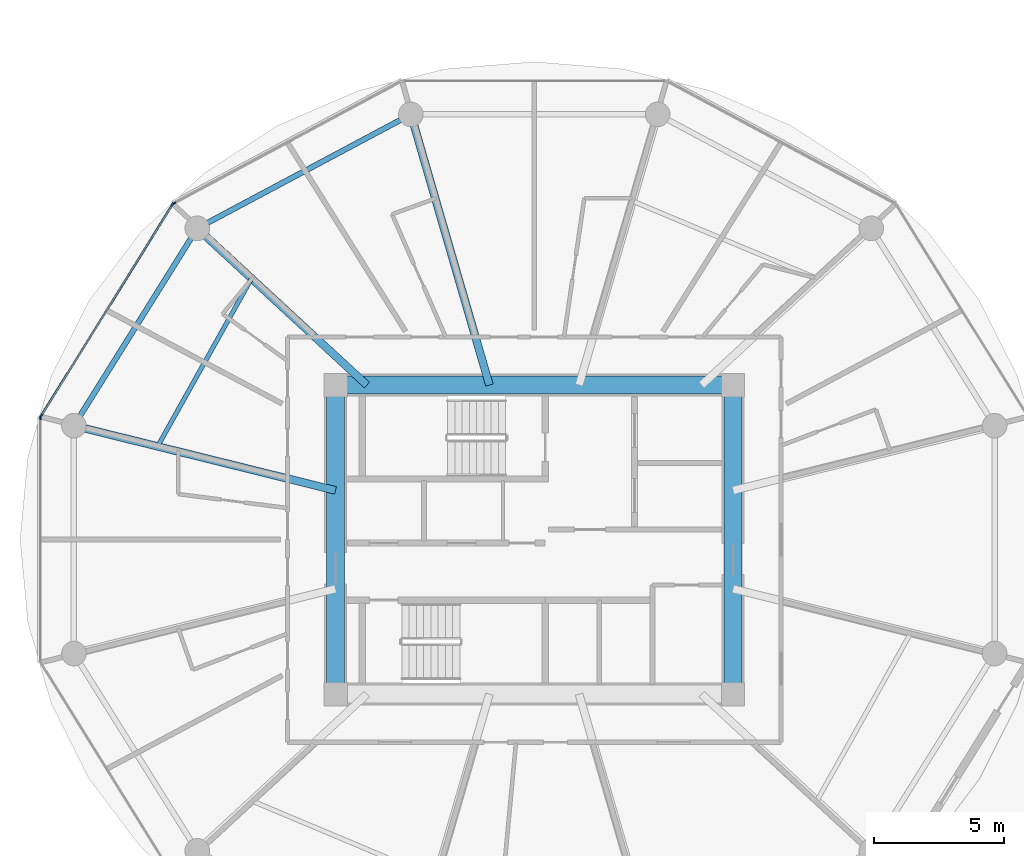
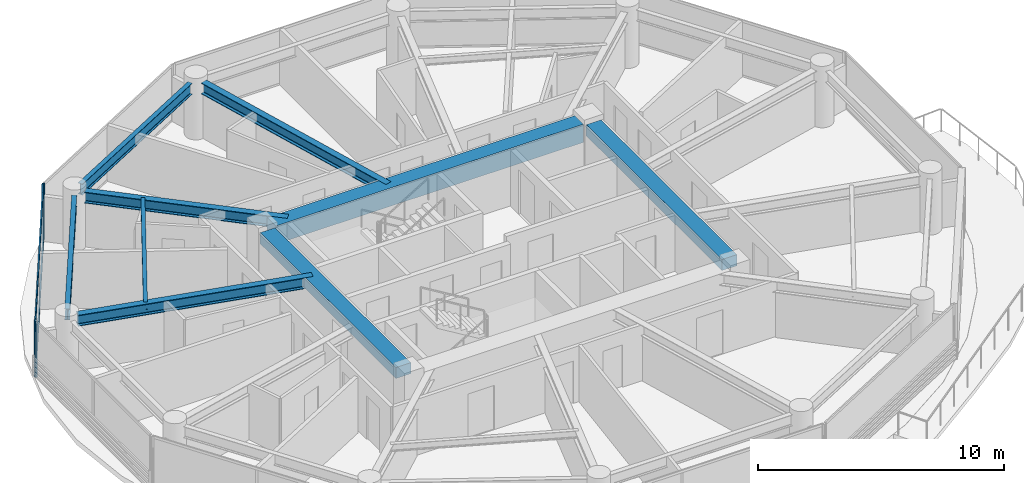
# One storey, part 4 of 26: 9 beams, 6 members, 3 elements without a shape of their own.
"""IFC4 building model written with IfcOpenShell, lengths in metres."""

import ifcopenshell
import ifcopenshell.guid

model = None  # the IFC model being written
_history = None  # IfcOwnerHistory: only IFC2X3 demands one
_inside = {}  # id of a spatial element -> (the spatial element, [elements in it])
_under = {}  # id of a project, library or spatial element -> (it, [spatial elements below it])
_declared = {}  # id of a project -> (the project, [libraries it declares])
_typed = {}  # id of a type object -> (the type object, [elements of that type])
_made_of = {}  # id of a material, layer set ... -> (it, [elements and type objects made of it])


def new_model(schema):
    """Start an empty IFC model of exactly this schema.

    Asked for "IFC4X3", IfcOpenShell would pick the latest addendum, in which some entities
    have other attributes; the version numbers below select the first issue.
    IFC2X3 requires an IfcOwnerHistory on every rooted entity: one is made here for all.
    """
    global model, _history
    if schema == "IFC4X3":
        model = ifcopenshell.file(schema_version=(4, 3, 0, 0))
    else:
        model = ifcopenshell.file(schema=schema)
    _inside.clear()
    _under.clear()
    _declared.clear()
    _typed.clear()
    _made_of.clear()
    _history = None
    if model.schema == "IFC2X3":
        org = make("IfcOrganization", Name="unknown")
        user = make(
            "IfcPersonAndOrganization",
            ThePerson=make("IfcPerson", FamilyName="unknown"),
            TheOrganization=org,
        )
        app = make(
            "IfcApplication",
            ApplicationDeveloper=org,
            Version="unknown",
            ApplicationFullName="unknown",
            ApplicationIdentifier="unknown",
        )
        _history = make(
            "IfcOwnerHistory",
            OwningUser=user,
            OwningApplication=app,
            ChangeAction="ADDED",
            CreationDate=0,
        )
    return model


def make(cls, **values):
    """One entity of the class cls with the attributes given. An attribute that is None is left unset."""
    return model.create_entity(
        cls, **{name: value for name, value in values.items() if value is not None}
    )


def rooted(cls, **values):
    """An entity with a GlobalId (a new one), such as an element, a storey or a relation."""
    return make(cls, GlobalId=ifcopenshell.guid.new(), OwnerHistory=_history, **values)


def si_unit(unit_type, name, prefix=None):
    """IfcSIUnit, for example si_unit("LENGTHUNIT", "METRE", prefix="MILLI")."""
    return make("IfcSIUnit", UnitType=unit_type, Prefix=prefix, Name=name)


def assignment(units):
    """IfcUnitAssignment: the units of a project."""
    return None if units is None else make("IfcUnitAssignment", Units=units)


def point(xyz):
    """IfcCartesianPoint."""
    return None if xyz is None else make("IfcCartesianPoint", Coordinates=xyz)


def direction(xyz):
    """IfcDirection."""
    return None if xyz is None else make("IfcDirection", DirectionRatios=xyz)


def frame(location, z_axis=None, x_axis=None):
    """IfcAxis2Placement3D, a coordinate frame: its origin and axes. An axis left out is left unset."""
    return make(
        "IfcAxis2Placement3D",
        Location=point(location),
        Axis=direction(z_axis),
        RefDirection=direction(x_axis),
    )


def frame_2d(location, x_axis=None):
    """IfcAxis2Placement2D, a coordinate frame in the plane: its origin and x axis."""
    return make(
        "IfcAxis2Placement2D", Location=point(location), RefDirection=direction(x_axis)
    )


def origin():
    """The frame at (0, 0, 0) with its axes left unset."""
    return frame((0.0, 0.0, 0.0))


def origin_2d():
    """The frame at (0, 0) in the plane with its x axis left unset."""
    return frame_2d((0.0, 0.0))


def place(relative_to, where):
    """IfcLocalPlacement: puts the frame where relative to a parent placement (None: the world)."""
    return make(
        "IfcLocalPlacement", PlacementRelTo=relative_to, RelativePlacement=where
    )


def context(
    kind, dimensions, precision=None, world=None, true_north=None, identifier=None
):
    """IfcGeometricRepresentationContext, for example the 3D "Model" context."""
    return make(
        "IfcGeometricRepresentationContext",
        ContextIdentifier=identifier,
        ContextType=kind,
        CoordinateSpaceDimension=dimensions,
        Precision=precision,
        WorldCoordinateSystem=world,
        TrueNorth=true_north,
    )


def subcontext(parent, identifier, kind, view, scale=None):
    """IfcGeometricRepresentationSubContext, for example "Body" below "Model"."""
    return make(
        "IfcGeometricRepresentationSubContext",
        ContextIdentifier=identifier,
        ContextType=kind,
        ParentContext=parent,
        TargetScale=scale,
        TargetView=view,
    )


def project(units=None, contexts=None):
    """IfcProject with its units and contexts."""
    return rooted(
        "IfcProject",
        Name="project",
        RepresentationContexts=contexts,
        UnitsInContext=assignment(units),
    )


def spatial(cls, under=None, at=None, **own):
    """A site, building, storey or space (cls), placed at a placement, below another one or the project."""
    s = rooted(cls, ObjectPlacement=at, **own)
    if under is not None:
        _under.setdefault(under.id(), (under, []))[1].append(s)
    return s


def profile(cls, at=None, kind="AREA", **sizes):
    """A parametric profile (cls). Its sizes go by their IFC names, for example OverallWidth=200.0."""
    return make(cls, ProfileType=kind, Position=at, **sizes)


def rectangle(**sizes):
    """IfcRectangleProfileDef."""
    return profile("IfcRectangleProfileDef", **sizes)


def i_section(**sizes):
    """IfcIShapeProfileDef."""
    return profile("IfcIShapeProfileDef", **sizes)


def extrude(swept, where, along, depth):
    """IfcExtrudedAreaSolid: the profile swept, set in the frame where, extruded along a direction by depth."""
    return make(
        "IfcExtrudedAreaSolid",
        SweptArea=swept,
        Position=where,
        ExtrudedDirection=direction(along),
        Depth=depth,
    )


def shape(context_of_items, identifier, shape_type, items):
    """IfcShapeRepresentation: the items that make up one representation, for example the "Body"."""
    return make(
        "IfcShapeRepresentation",
        ContextOfItems=context_of_items,
        RepresentationIdentifier=identifier,
        RepresentationType=shape_type,
        Items=items,
    )


def source(mapping_origin, context_of_items, identifier, shape_type, items):
    """IfcRepresentationMap: a shape defined once, which mapped items show again and again."""
    return make(
        "IfcRepresentationMap",
        MappingOrigin=mapping_origin,
        MappedRepresentation=shape(context_of_items, identifier, shape_type, items),
    )


def transform(
    local_origin,
    x_axis=None,
    y_axis=None,
    z_axis=None,
    scale=None,
    scale2=None,
    scale3=None,
    uniform=True,
):
    """IfcCartesianTransformationOperator3D, or its non-uniform kind. x_axis, y_axis, z_axis: its Axis1, 2, 3."""
    if uniform:
        return make(
            "IfcCartesianTransformationOperator3D",
            Axis1=direction(x_axis),
            Axis2=direction(y_axis),
            LocalOrigin=point(local_origin),
            Scale=scale,
            Axis3=direction(z_axis),
        )
    return make(
        "IfcCartesianTransformationOperator3DnonUniform",
        Axis1=direction(x_axis),
        Axis2=direction(y_axis),
        LocalOrigin=point(local_origin),
        Scale=scale,
        Axis3=direction(z_axis),
        Scale2=scale2,
        Scale3=scale3,
    )


def mapped(mapping_source, mapping_target):
    """IfcMappedItem: shows the shape of a source again, moved by a transform."""
    return make(
        "IfcMappedItem", MappingSource=mapping_source, MappingTarget=mapping_target
    )


def material(Name=None, Category=None):
    """IfcMaterial."""
    return make("IfcMaterial", Name=Name, Category=Category)


def layer(
    of_material, thickness, ventilated=None, Name=None, Category=None, Priority=None
):
    """IfcMaterialLayer: one layer of a wall or slab, of a material (None: an air gap)."""
    return make(
        "IfcMaterialLayer",
        Material=of_material,
        LayerThickness=thickness,
        IsVentilated=ventilated,
        Name=Name,
        Category=Category,
        Priority=Priority,
    )


def layer_set(layers, Name=None):
    """IfcMaterialLayerSet."""
    return make("IfcMaterialLayerSet", MaterialLayers=layers, LayerSetName=Name)


def material_profile(
    of_material, cross_section, Name=None, Category=None, Priority=None
):
    """IfcMaterialProfile: a cross section and its material."""
    return make(
        "IfcMaterialProfile",
        Name=Name,
        Material=of_material,
        Profile=cross_section,
        Priority=Priority,
        Category=Category,
    )


def profile_set(profiles, Name=None, composite=None):
    """IfcMaterialProfileSet."""
    return make(
        "IfcMaterialProfileSet",
        Name=Name,
        MaterialProfiles=profiles,
        CompositeProfile=composite,
    )


def made_of(thing, what):
    """Note that an element or type object is made of a material, layer set ...; save() writes the relation."""
    if what is not None:
        _made_of.setdefault(what.id(), (what, []))[1].append(thing)
    return thing


def type_object(cls, material=None, **own):
    """A type object (cls), such as IfcWallType, which elements share."""
    return made_of(rooted(cls, **own), material)


def type_shapes(of_type, sources):
    """Give a type object the sources (RepresentationMaps) that its elements show as mapped items."""
    of_type.RepresentationMaps = sources


def element(
    cls,
    number,
    at=None,
    inside=None,
    cuts=None,
    type_object=None,
    material=None,
    context=None,
    identifier="Body",
    shape_type=None,
    held_by="IfcProductDefinitionShape",
    body=None,
    shapes=None,
    **own,
):
    """One element of the class cls, such as IfcWall. Its Tag is "e" and its number.

    at: its placement. inside: the storey or other place that contains it. cuts: it is an
    opening in that element (IfcRelVoidsElement). A single representation is given by context,
    identifier, shape_type and body (its items); several are given by shapes. held_by: the class
    of the entity that holds the representations. save() writes the other relations.
    """
    e = rooted(cls, Tag="e%d" % number, ObjectPlacement=at, **own)
    if body is not None:
        shapes = [shape(context, identifier, shape_type, body)]
    if shapes is not None:
        e.Representation = make(held_by, Representations=shapes)
    if inside is not None:
        _inside.setdefault(inside.id(), (inside, []))[1].append(e)
    if cuts is not None:
        rooted(
            "IfcRelVoidsElement", RelatingBuildingElement=cuts, RelatedOpeningElement=e
        )
    if type_object is not None:
        _typed.setdefault(type_object.id(), (type_object, []))[1].append(e)
    return made_of(e, material)


def aggregate(whole, parts):
    """IfcRelAggregates: a whole, such as a stair, and the parts it consists of."""
    return rooted("IfcRelAggregates", RelatingObject=whole, RelatedObjects=parts)


def save(model, path):
    """Write the relations noted so far, then the file.

    IfcRelAggregates (storeys below a building ...), IfcRelContainedInSpatialStructure (elements
    in a storey), IfcRelDefinesByType, IfcRelAssociatesMaterial and IfcRelDeclares: one each for
    every whole, place, type object, material and project.
    """
    for whole, parts in _under.values():
        aggregate(whole, parts)
    for where, things in _inside.values():
        rooted(
            "IfcRelContainedInSpatialStructure",
            RelatedElements=things,
            RelatingStructure=where,
        )
    for kind, things in _typed.values():
        rooted("IfcRelDefinesByType", RelatedObjects=things, RelatingType=kind)
    for what, things in _made_of.values():
        rooted("IfcRelAssociatesMaterial", RelatedObjects=things, RelatingMaterial=what)
    for by, libraries in _declared.values():
        rooted("IfcRelDeclares", RelatingContext=by, RelatedDefinitions=libraries)
    model.write(path)


model = new_model("IFC4")

# Units and contexts
model_context = context("Model", 3, precision=1e-05, world=origin(), true_north=direction((0.0, 1.0)))
body_context = subcontext(model_context, "Body", "Model", "MODEL_VIEW")
ifc_project = project(units=[si_unit("LENGTHUNIT", "METRE"), si_unit("AREAUNIT", "SQUARE_METRE"), si_unit("VOLUMEUNIT", "CUBIC_METRE"), si_unit("PLANEANGLEUNIT", "RADIAN"), si_unit("MASSUNIT", "GRAM", prefix="KILO")], contexts=[model_context])

# Site, building, storey
site_placement = place(None, origin())
site = spatial("IfcSite", under=ifc_project, at=site_placement, CompositionType="ELEMENT")
building_placement = place(site_placement, origin())
building = spatial("IfcBuilding", under=site, at=building_placement, Name="Norrkilde Senior Care Towers", CompositionType="ELEMENT")
storey_placement = place(building_placement, frame((0.0, 0.0, 64.300048828125)))
storey = spatial("IfcBuildingStorey", under=building, at=storey_placement, Name="L19", CompositionType="ELEMENT", Elevation=64.300048828125)

# Beams
ifc_material_1 = material(Name="Concrete C60/75", Category="concrete")
ifc_material_profile_1 = material_profile(ifc_material_1, rectangle(XDim=0.699951171875, YDim=0.89990234375, at=origin_2d()), Name="RC BM 700x900")
ifc_profile_set_1 = profile_set([ifc_material_profile_1], Name="Concrete C60/75")
beam_type_1 = type_object("IfcBeamType", Name="Core Coupling Girder 700x900", PredefinedType="USERDEFINED", material=ifc_profile_set_1)
shared_shape_1 = source(origin(), body_context, "Body", "SweptSolid", [
    extrude(rectangle(XDim=0.699951171875, YDim=0.89990234375, at=origin_2d()), origin(), (0.0, 0.0, 1.0), 14.43994140625),
])
type_shapes(beam_type_1, [shared_shape_1])
beam_1_placement = place(storey_placement, frame((-35.219970703125, 5.949951171875, 2.33984375), z_axis=(1.0, 0.0, 0.0), x_axis=(0.0, 1.0, 0.0)))
element("IfcBeam", 1, at=beam_1_placement, inside=storey, type_object=beam_type_1, Name="L19 Core W N Coupling Girder", ObjectType="GIRDER", PredefinedType="USERDEFINED", context=body_context, shape_type="MappedRepresentation", body=[
    mapped(shared_shape_1, transform((0.0, 0.0, 0.0), x_axis=(1.0, 0.0, 0.0), y_axis=(0.0, 1.0, 0.0), z_axis=(0.0, 0.0, 1.0), scale=1.0)),
])
ifc_material_profile_2 = material_profile(ifc_material_1, rectangle(XDim=0.699951171875, YDim=0.550048828125, at=origin_2d()), Name="RC BM 700x550")
ifc_profile_set_2 = profile_set([ifc_material_profile_2], Name="Concrete C60/75")
beam_type_2 = type_object("IfcBeamType", Name="Core Portal Coupling Beam 700x550", PredefinedType="USERDEFINED", material=ifc_profile_set_2)
shared_shape_2 = source(origin(), body_context, "Body", "SweptSolid", [
    extrude(rectangle(XDim=0.699951171875, YDim=0.550048828125, at=origin_2d()), origin(), (0.0, 0.0, 1.0), 11.0400390625),
])
type_shapes(beam_type_2, [shared_shape_2])
for number, where, z_axis, x_axis, name in (
    (2, (-35.64990234375, -5.52001953125, 2.514892578125), (0.0, 1.0, 0.0), (-1.0, 0.0, 0.0), "L19 Core W W Coupling Girder"),
    (3, (-20.35009765625, -5.52001953125, 2.514892578125), (0.0, 1.0, 0.0), (-1.0, 0.0, 0.0), "L19 Core W E Coupling Girder"),
):
    element("IfcBeam", number, at=place(storey_placement, frame(where, z_axis=z_axis, x_axis=x_axis)), inside=storey, type_object=beam_type_2, Name=name, ObjectType="GIRDER", PredefinedType="USERDEFINED", context=body_context, shape_type="MappedRepresentation", body=[
        mapped(shared_shape_2, transform((0.0, 0.0, 0.0), x_axis=(1.0, 0.0, 0.0), y_axis=(0.0, 1.0, 0.0), z_axis=(0.0, 0.0, 1.0), scale=1.0)),
    ])
ifc_material_2 = material(Name="Steel S355", Category="steel")
ifc_material_profile_3 = material_profile(ifc_material_2, i_section(OverallWidth=0.2099609375, OverallDepth=0.550048828125, WebThickness=0.010986328125, FlangeThickness=0.01708984375, FilletRadius=0.02392578125, at=origin_2d()), Name="IPE 550")
ifc_profile_set_3 = profile_set([ifc_material_profile_3], Name="Steel S355")
beam_type_3 = type_object("IfcBeamType", Name="Perimeter Ring Spandrel Z1 IPE550", PredefinedType="SPANDREL", material=ifc_profile_set_3)
shared_shape_3 = source(origin(), body_context, "Body", "SweptSolid", [
    extrude(i_section(OverallWidth=0.2099609375, OverallDepth=0.550048828125, WebThickness=0.010986328125, FlangeThickness=0.01708984375, FilletRadius=0.02392578125, at=origin_2d()), origin(), (0.0, 0.0, 1.0), 8.090576171875),
])
beam_2_placement = place(storey_placement, frame((-41.2060546875, 11.61669921875, 2.514892578125), z_axis=(-0.530004364821, -0.84799491347, 0.0), x_axis=(0.84799491347, -0.530004364821, 0.0)))
element("IfcBeam", 4, at=beam_2_placement, inside=storey, type_object=beam_type_3, Name="L19 Drum W Perimeter Spandrel 05", PredefinedType="SPANDREL", context=body_context, shape_type="MappedRepresentation", body=[
    mapped(shared_shape_3, transform((0.0, 0.0, 0.0), x_axis=(1.0, 0.0, 0.0), y_axis=(0.0, 1.0, 0.0), z_axis=(0.0, 0.0, 1.0), scale=1.0)),
])
ifc_material_profile_4 = material_profile(ifc_material_2, i_section(OverallWidth=0.300048828125, OverallDepth=0.550048828125, WebThickness=0.014892578125, FlangeThickness=0.029052734375, FilletRadius=0.027099609375, at=origin_2d()), Name="HEB 550")
ifc_profile_set_4 = profile_set([ifc_material_profile_4], Name="Steel S355")
beam_type_4 = type_object("IfcBeamType", Name="Radial Floor Beam Z1 HEB550", PredefinedType="BEAM", material=ifc_profile_set_4)
shared_shape_4 = source(origin(), body_context, "Body", "SweptSolid", [
    extrude(i_section(OverallWidth=0.300048828125, OverallDepth=0.550048828125, WebThickness=0.014892578125, FlangeThickness=0.029052734375, FilletRadius=0.027099609375, at=origin_2d()), origin(), (0.0, 0.0, 1.0), 9.94384765625),
])
beam_3_placement = place(storey_placement, frame((-35.64990234375, 1.893310546875, 2.514892578125), z_axis=(-0.970707425182, 0.240264634718, 0.0), x_axis=(-0.240264634718, -0.970707425182, 0.0)))
element("IfcBeam", 5, at=beam_3_placement, inside=storey, type_object=beam_type_4, Name="L19 Drum W Radial Floor Beam 06", PredefinedType="BEAM", context=body_context, shape_type="MappedRepresentation", body=[
    mapped(shared_shape_4, transform((0.0, 0.0, 0.0), x_axis=(1.0, 0.0, 0.0), y_axis=(0.0, 1.0, 0.0), z_axis=(0.0, 0.0, 1.0), scale=1.0)),
])
shared_shape_5 = source(origin(), body_context, "Body", "SweptSolid", [
    extrude(i_section(OverallWidth=0.2099609375, OverallDepth=0.550048828125, WebThickness=0.010986328125, FlangeThickness=0.01708984375, FilletRadius=0.02392578125, at=origin_2d()), origin(), (0.0, 0.0, 1.0), 8.452880859375),
])
type_shapes(beam_type_3, [shared_shape_3, shared_shape_5])
beam_4_placement = place(storey_placement, frame((-33.133056640625, 16.167724609375, 2.514892578125), z_axis=(-0.882368931134, -0.470558252898, 0.0), x_axis=(0.470558252898, -0.882368931134, 0.0)))
element("IfcBeam", 6, at=beam_4_placement, inside=storey, type_object=beam_type_3, Name="L19 Drum W Perimeter Spandrel 04", PredefinedType="SPANDREL", context=body_context, shape_type="MappedRepresentation", body=[
    mapped(shared_shape_5, transform((0.0, 0.0, 0.0), x_axis=(1.0, 0.0, 0.0), y_axis=(0.0, 1.0, 0.0), z_axis=(0.0, 0.0, 1.0), scale=1.0)),
])
shared_shape_6 = source(origin(), body_context, "Body", "SweptSolid", [
    extrude(i_section(OverallWidth=0.300048828125, OverallDepth=0.550048828125, WebThickness=0.014892578125, FlangeThickness=0.029052734375, FilletRadius=0.027099609375, at=origin_2d()), origin(), (0.0, 0.0, 1.0), 8.459716796875),
])
beam_5_placement = place(storey_placement, frame((-34.44140625, 5.949951171875, 2.514892578125), z_axis=(-0.734573269108, 0.678529374686, 0.0), x_axis=(-0.678529374686, -0.734573269108, 0.0)))
element("IfcBeam", 7, at=beam_5_placement, inside=storey, type_object=beam_type_4, Name="L19 Drum W Radial Floor Beam 05", PredefinedType="BEAM", context=body_context, shape_type="MappedRepresentation", body=[
    mapped(shared_shape_6, transform((0.0, 0.0, 0.0), x_axis=(1.0, 0.0, 0.0), y_axis=(0.0, 1.0, 0.0), z_axis=(0.0, 0.0, 1.0), scale=1.0)),
])
shared_shape_7 = source(origin(), body_context, "Body", "SweptSolid", [
    extrude(i_section(OverallWidth=0.300048828125, OverallDepth=0.550048828125, WebThickness=0.014892578125, FlangeThickness=0.029052734375, FilletRadius=0.027099609375, at=origin_2d()), origin(), (0.0, 0.0, 1.0), 10.4169921875),
])
type_shapes(beam_type_4, [shared_shape_4, shared_shape_6, shared_shape_7])
beam_6_placement = place(storey_placement, frame((-29.72607421875, 5.949951171875, 2.514892578125), z_axis=(-0.278591250785, 0.960409764104, 0.0), x_axis=(-0.960409764104, -0.278591250785, 0.0)))
element("IfcBeam", 8, at=beam_6_placement, inside=storey, type_object=beam_type_4, Name="L19 Drum W Radial Floor Beam 04", PredefinedType="BEAM", context=body_context, shape_type="MappedRepresentation", body=[
    mapped(shared_shape_7, transform((0.0, 0.0, 0.0), x_axis=(1.0, 0.0, 0.0), y_axis=(0.0, 1.0, 0.0), z_axis=(0.0, 0.0, 1.0), scale=1.0)),
])
ifc_material_profile_5 = material_profile(ifc_material_2, i_section(OverallWidth=0.169921875, OverallDepth=0.360107421875, WebThickness=0.008056640625, FlangeThickness=0.0126953125, FilletRadius=0.01806640625, at=origin_2d()), Name="IPE 360")
ifc_profile_set_5 = profile_set([ifc_material_profile_5], Name="Steel S355")
beam_type_5 = type_object("IfcBeamType", Name="Secondary Floor Joist IPE360", PredefinedType="JOIST", material=ifc_profile_set_5)
shared_shape_8 = source(origin(), body_context, "Body", "SweptSolid", [
    extrude(i_section(OverallWidth=0.169921875, OverallDepth=0.360107421875, WebThickness=0.008056640625, FlangeThickness=0.0126953125, FilletRadius=0.01806640625, at=origin_2d()), origin(), (0.0, 0.0, 1.0), 7.40771484375),
])
type_shapes(beam_type_5, [shared_shape_8])
beam_7_placement = place(storey_placement, frame((-38.884521484375, 10.05419921875, 2.60986328125), z_axis=(-0.488167754092, -0.872749817453, 0.0), x_axis=(0.872749817453, -0.488167754092, 0.0)))
element("IfcBeam", 9, at=beam_7_placement, inside=storey, type_object=beam_type_5, Name="L19 Drum W Secondary Floor Joist 2", PredefinedType="JOIST", context=body_context, shape_type="MappedRepresentation", body=[
    mapped(shared_shape_8, transform((0.0, 0.0, 0.0), x_axis=(1.0, 0.0, 0.0), y_axis=(0.0, 1.0, 0.0), z_axis=(0.0, 0.0, 1.0), scale=1.0)),
])

# Curtain wall, member
ifc_material_3 = material(Name="Triple Low-E Insulated Glazing", Category="glass")
ifc_layer = layer(ifc_material_3, 0.199951171875)
ifc_layer_set = layer_set([ifc_layer], Name="Triple Low-E Insulated Glazing")
curtain_wall_type = type_object("IfcCurtainWallType", Name="CW2 Zone 1 Memory Care Curtain Wall", PredefinedType="NOTDEFINED", material=ifc_layer_set)
curtain_wall_1_placement = place(storey_placement, origin())
curtain_wall_1 = element("IfcCurtainWall", 10, at=curtain_wall_1_placement, inside=storey, type_object=curtain_wall_type, Name="L19 Drum W Curtain Wall 03", PredefinedType="NOTDEFINED")
ifc_material_4 = material(Name="Anodised Aluminium", Category="aluminium")
ifc_material_profile_6 = material_profile(ifc_material_4, rectangle(XDim=0.06494140625, YDim=0.159912109375, at=origin_2d()), Name="ALU MULL 65x160")
ifc_profile_set_6 = profile_set([ifc_material_profile_6], Name="Anodised Aluminium")
member_type_1 = type_object("IfcMemberType", Name="Curtain Wall Mullion Z1-Z2 65x160", PredefinedType="MULLION", material=ifc_profile_set_6)
shared_shape_9 = source(origin(), body_context, "Body", "SweptSolid", [
    extrude(rectangle(XDim=0.06494140625, YDim=0.159912109375, at=origin_2d()), origin(), (0.0, 0.0, 1.0), 2.7900390625),
])
type_shapes(member_type_1, [shared_shape_9])
member_1_placement = place(storey_placement, frame((-41.88720703125, 12.941162109375, 0.0), z_axis=(0.0, 0.0, 1.0), x_axis=(-0.472607802456, 0.881272866403, 0.0)))
member_1 = element("IfcMember", 11, at=member_1_placement, type_object=member_type_1, Name="CW-2 mullion 1", PredefinedType="MULLION", context=body_context, shape_type="MappedRepresentation", body=[
    mapped(shared_shape_9, transform((0.0, 0.0, 0.0), x_axis=(1.0, 0.0, 0.0), y_axis=(0.0, 1.0, 0.0), z_axis=(0.0, 0.0, 1.0), scale=1.0)),
])
aggregate(curtain_wall_1, [member_1])

# Curtain wall, members
curtain_wall_2_placement = place(storey_placement, origin())
curtain_wall_2 = element("IfcCurtainWall", 12, at=curtain_wall_2_placement, inside=storey, type_object=curtain_wall_type, Name="L19 Drum W Curtain Wall 04", PredefinedType="NOTDEFINED")
member_2_placement = place(storey_placement, frame((-46.9921875, 4.7587890625, 0.0), z_axis=(0.0, 0.0, 1.0), x_axis=(-0.849305943117, 0.527900951871, 0.0)))
member_2 = element("IfcMember", 13, at=member_2_placement, type_object=member_type_1, Name="CW-2 mullion 1", PredefinedType="MULLION", context=body_context, shape_type="MappedRepresentation", body=[
    mapped(shared_shape_9, transform((0.0, 0.0, 0.0), x_axis=(1.0, 0.0, 0.0), y_axis=(0.0, 1.0, 0.0), z_axis=(0.0, 0.0, 1.0), scale=1.0)),
])
member_3_placement = place(storey_placement, frame((-41.93310546875, 12.898193359375, 0.0), z_axis=(0.0, 0.0, 1.0), x_axis=(-0.849305943117, 0.527900951871, 0.0)))
member_3 = element("IfcMember", 14, at=member_3_placement, type_object=member_type_1, Name="CW-2 mullion 2", PredefinedType="MULLION", context=body_context, shape_type="MappedRepresentation", body=[
    mapped(shared_shape_9, transform((0.0, 0.0, 0.0), x_axis=(1.0, 0.0, 0.0), y_axis=(0.0, 1.0, 0.0), z_axis=(0.0, 0.0, 1.0), scale=1.0)),
])

# Curtain wall, member
curtain_wall_3_placement = place(storey_placement, origin())
curtain_wall_3 = element("IfcCurtainWall", 15, at=curtain_wall_3_placement, inside=storey, type_object=curtain_wall_type, Name="L19 Drum W Curtain Wall 05", PredefinedType="NOTDEFINED")
member_4_placement = place(storey_placement, frame((-47.009521484375, 4.69873046875, 0.0), z_axis=(0.0, 0.0, 1.0), x_axis=(-1.0, 0.0, 0.0)))
member_4 = element("IfcMember", 16, at=member_4_placement, type_object=member_type_1, Name="CW-2 mullion 2", PredefinedType="MULLION", context=body_context, shape_type="MappedRepresentation", body=[
    mapped(shared_shape_9, transform((0.0, 0.0, 0.0), x_axis=(1.0, 0.0, 0.0), y_axis=(0.0, 1.0, 0.0), z_axis=(0.0, 0.0, 1.0), scale=1.0)),
])
aggregate(curtain_wall_3, [member_4])

# Member
ifc_material_profile_7 = material_profile(ifc_material_4, rectangle(XDim=0.06005859375, YDim=0.1201171875, at=origin_2d()), Name="ALU TRAN 60x120")
ifc_profile_set_7 = profile_set([ifc_material_profile_7], Name="Anodised Aluminium")
member_type_2 = type_object("IfcMemberType", Name="Curtain Wall Transom Typical 60x120", PredefinedType="USERDEFINED", material=ifc_profile_set_7)
shared_shape_10 = source(origin(), body_context, "Body", "SweptSolid", [
    extrude(rectangle(XDim=0.06005859375, YDim=0.1201171875, at=origin_2d()), origin(), (0.0, 0.0, 1.0), 9.5185546875),
])
type_shapes(member_type_2, [shared_shape_10])
member_5_placement = place(storey_placement, frame((-46.97509765625, 4.786376953125, 0.030029296875), z_axis=(0.527901620669, 0.849305527413, 0.0), x_axis=(-0.849305527413, 0.527901620669, 0.0)))
member_5 = element("IfcMember", 17, at=member_5_placement, type_object=member_type_2, Name="CW-2 transom 1.1", ObjectType="TRANSOM", PredefinedType="USERDEFINED", context=body_context, shape_type="MappedRepresentation", body=[
    mapped(shared_shape_10, transform((0.0, 0.0, 0.0), x_axis=(1.0, 0.0, 0.0), y_axis=(0.0, 1.0, 0.0), z_axis=(0.0, 0.0, 1.0), scale=1.0)),
])

member_6_placement = place(storey_placement, frame((-46.97509765625, 4.786376953125, 2.760009765625), z_axis=(0.527901620669, 0.849305527413, 0.0), x_axis=(-0.849305527413, 0.527901620669, 0.0)))
member_6 = element("IfcMember", 18, at=member_6_placement, type_object=member_type_2, Name="CW-2 transom 1.2", ObjectType="TRANSOM", PredefinedType="USERDEFINED", context=body_context, shape_type="MappedRepresentation", body=[
    mapped(shared_shape_10, transform((0.0, 0.0, 0.0), x_axis=(1.0, 0.0, 0.0), y_axis=(0.0, 1.0, 0.0), z_axis=(0.0, 0.0, 1.0), scale=1.0)),
])

aggregate(curtain_wall_2, [member_2, member_3, member_5, member_6])

save(model, "model.ifc")
